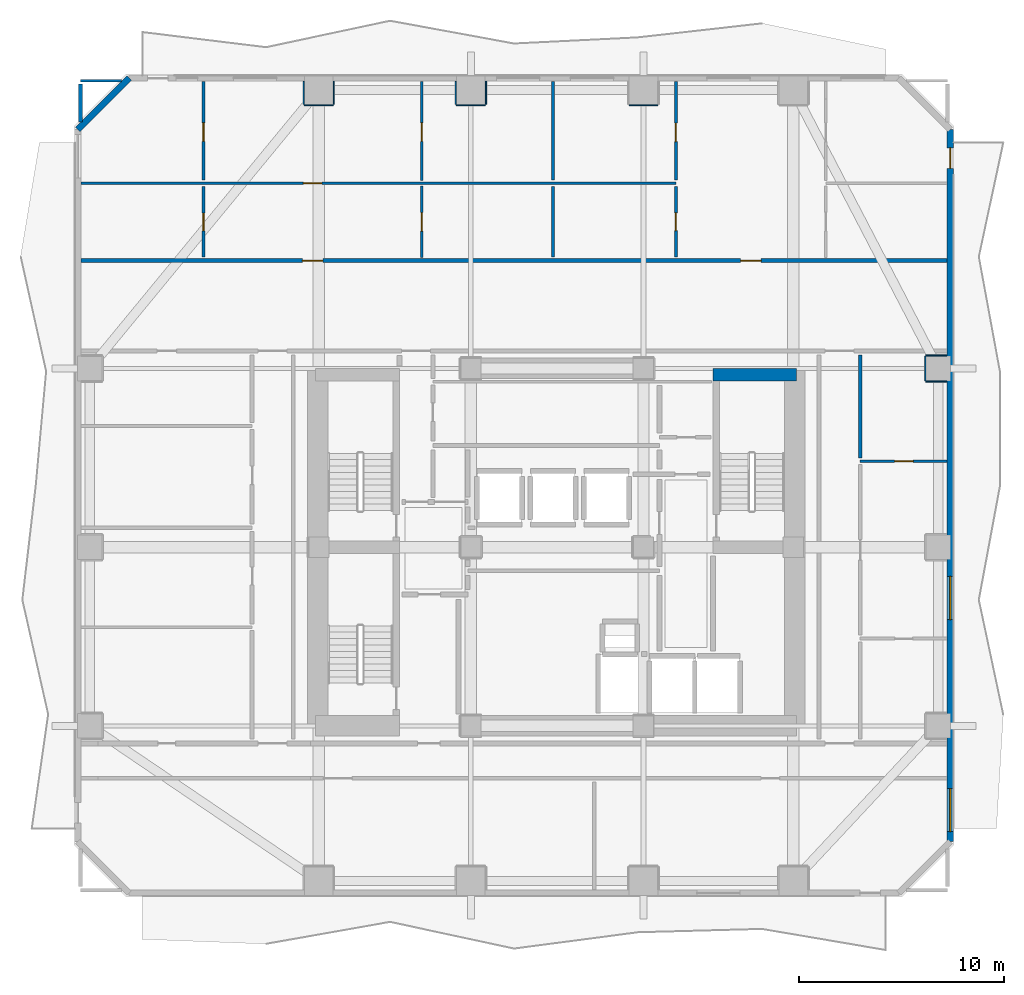
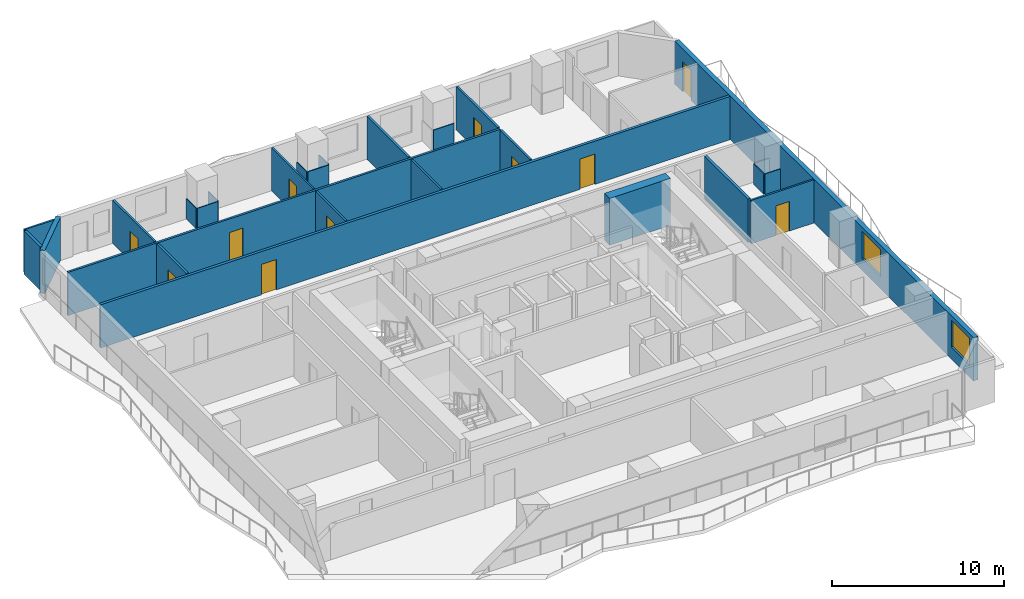
# One storey, part 5 of 10: 27 walls, 11 doors, 2 windows, 13 openings.
"""IFC4 building model written with IfcOpenShell, lengths in metres."""

from ifc_helpers import new_model, si_unit, direction, frame, frame_2d, origin, place, context, subcontext, project, spatial, rectangle, extrude, material, layer, layer_set, type_object, element, fill, save


model = new_model("IFC4")

# Units and contexts
model_context = context("Model", 3, precision=1e-05, world=origin(), true_north=direction((0.0, 1.0)))
body_context = subcontext(model_context, "Body", "Model", "MODEL_VIEW")
ifc_project = project(units=[si_unit("LENGTHUNIT", "METRE"), si_unit("AREAUNIT", "SQUARE_METRE"), si_unit("VOLUMEUNIT", "CUBIC_METRE"), si_unit("PLANEANGLEUNIT", "RADIAN"), si_unit("MASSUNIT", "GRAM", prefix="KILO")], contexts=[model_context])

# Site, building, storey
site_placement = place(None, origin())
site = spatial("IfcSite", under=ifc_project, at=site_placement, CompositionType="ELEMENT")
building_placement = place(site_placement, origin())
building = spatial("IfcBuilding", under=site, at=building_placement, Name="Solanera Arch Residences", CompositionType="ELEMENT")
storey_placement = place(building_placement, frame((0.0, 0.0, 92.800048828125)))
storey = spatial("IfcBuildingStorey", under=building, at=storey_placement, Name="L26", CompositionType="ELEMENT", Elevation=92.800048828125)

# Walls
ifc_material_1 = material(Name="Fire-Rated Gypsum Stud Partition", Category="gypsum")
ifc_layer_1 = layer(ifc_material_1, 0.06005859375)
ifc_layer_set_1 = layer_set([ifc_layer_1], Name="Fire-Rated Gypsum Stud Partition")
wall_type_1 = type_object("IfcWallType", Name="Column Acoustic Furring Wall 60", PredefinedType="PARTITIONING", material=ifc_layer_set_1)
wall_1_placement = place(storey_placement, frame((12.699951171875, 52.218017578125, 0.0), z_axis=(0.0, 0.0, 1.0), x_axis=(1.0, 0.0, 0.0)))
element("IfcWall", 1, at=wall_1_placement, inside=storey, type_object=wall_type_1, Name="L26 Column Furring 10S", PredefinedType="PARTITIONING", context=body_context, shape_type="SweptSolid", body=[
    extrude(rectangle(XDim=1.400146484375, YDim=0.06005859375, at=frame_2d((0.7001953125, 0.0))), origin(), (0.0, 0.0, 1.0), 1.449951171875),
])
for number, where, z_axis, x_axis, name in (
    (2, (12.66796875, 52.25, 0.0), (0.0, 0.0, 1.0), (0.0, 1.0, 0.0), "L26 Column Furring 10W"),
    (3, (14.132080078125, 52.25, 0.0), (0.0, 0.0, 1.0), (0.0, 1.0, 0.0), "L26 Column Furring 10E"),
):
    element("IfcWall", number, at=place(storey_placement, frame(where, z_axis=z_axis, x_axis=x_axis)), inside=storey, type_object=wall_type_1, Name=name, PredefinedType="PARTITIONING", context=body_context, shape_type="SweptSolid", body=[
        extrude(rectangle(XDim=1.1201171875, YDim=0.06005859375, at=frame_2d((0.56005859375, 0.0))), origin(), (0.0, 0.0, 1.0), 1.449951171875),
    ])
wall_2_placement = place(storey_placement, frame((20.10009765625, 52.218017578125, 0.0), z_axis=(0.0, 0.0, 1.0), x_axis=(1.0, 0.0, 0.0)))
element("IfcWall", 4, at=wall_2_placement, inside=storey, type_object=wall_type_1, Name="L26 Column Furring 12S", PredefinedType="PARTITIONING", context=body_context, shape_type="SweptSolid", body=[
    extrude(rectangle(XDim=1.39990234375, YDim=0.06005859375, at=frame_2d((0.699951171875, 0.0))), origin(), (0.0, 0.0, 1.0), 1.449951171875),
])
for number, where, z_axis, x_axis, name in (
    (5, (20.068115234375, 52.25, 0.0), (0.0, 0.0, 1.0), (0.0, 1.0, 0.0), "L26 Column Furring 12W"),
    (6, (21.531982421875, 52.25, 0.0), (0.0, 0.0, 1.0), (0.0, 1.0, 0.0), "L26 Column Furring 12E"),
):
    element("IfcWall", number, at=place(storey_placement, frame(where, z_axis=z_axis, x_axis=x_axis)), inside=storey, type_object=wall_type_1, Name=name, PredefinedType="PARTITIONING", context=body_context, shape_type="SweptSolid", body=[
        extrude(rectangle(XDim=1.1201171875, YDim=0.06005859375, at=frame_2d((0.56005859375, 0.0))), origin(), (0.0, 0.0, 1.0), 1.449951171875),
    ])
wall_3_placement = place(storey_placement, frame((28.5, 52.218017578125, 0.0), z_axis=(0.0, 0.0, 1.0), x_axis=(1.0, 0.0, 0.0)))
element("IfcWall", 7, at=wall_3_placement, inside=storey, type_object=wall_type_1, Name="L26 Column Furring 14S", PredefinedType="PARTITIONING", context=body_context, shape_type="SweptSolid", body=[
    extrude(rectangle(XDim=1.39990234375, YDim=0.06005859375, at=frame_2d((0.699951171875, 0.0))), origin(), (0.0, 0.0, 1.0), 1.449951171875),
])
for number, where, z_axis, x_axis, name in (
    (8, (42.949951171875, 38.76806640625, 0.0), (0.0, 0.0, 1.0), (1.0, 0.0, 0.0), "L26 Column Furring 22S"),
    (9, (42.949951171875, 40.031982421875, 0.0), (0.0, 0.0, 1.0), (1.0, 0.0, 0.0), "L26 Column Furring 22N"),
):
    element("IfcWall", number, at=place(storey_placement, frame(where, z_axis=z_axis, x_axis=x_axis)), inside=storey, type_object=wall_type_1, Name=name, PredefinedType="PARTITIONING", context=body_context, shape_type="SweptSolid", body=[
        extrude(rectangle(XDim=1.02001953125, YDim=0.06005859375, at=frame_2d((0.510009765625, 0.0))), origin(), (0.0, 0.0, 1.0), 1.449951171875),
    ])
wall_4_placement = place(storey_placement, frame((42.91796875, 38.800048828125, 0.0), z_axis=(0.0, 0.0, 1.0), x_axis=(0.0, 1.0, 0.0)))
element("IfcWall", 10, at=wall_4_placement, inside=storey, type_object=wall_type_1, Name="L26 Column Furring 22W", PredefinedType="PARTITIONING", context=body_context, shape_type="SweptSolid", body=[
    extrude(rectangle(XDim=1.199951171875, YDim=0.06005859375, at=frame_2d((0.60009765625, 0.0))), origin(), (0.0, 0.0, 1.0), 1.449951171875),
])
ifc_material_2 = material(Name="Concrete C40/50 (f'c = 45 MPa)", Category="concrete")
ifc_layer_2 = layer(ifc_material_2, 0.60009765625)
ifc_layer_set_2 = layer_set([ifc_layer_2], Name="Concrete C40/50 (f'c = 45 MPa)")
wall_type_2 = type_object("IfcWallType", Name="Core Shear Wall CW-600", PredefinedType="SHEAR", material=ifc_layer_set_2)
wall_5_placement = place(storey_placement, frame((32.580078125, 39.10009765625, 0.0), z_axis=(0.0, 0.0, 1.0), x_axis=(1.0, 0.0, 0.0)))
element("IfcWall", 11, at=wall_5_placement, inside=storey, type_object=wall_type_2, Name="L26 North-East Core Shear Wall", PredefinedType="SHEAR", context=body_context, shape_type="SweptSolid", body=[
    extrude(rectangle(XDim=4.079833984375, YDim=0.60009765625, at=frame_2d((2.0400390625, 0.0))), origin(), (0.0, 0.0, 1.0), 3.320068359375),
])

# Wall, openings, doors
ifc_material_3 = material(Name="Autoclaved Aerated Concrete Blockwork", Category="masonry")
ifc_layer_3 = layer(ifc_material_3, 0.179931640625)
ifc_layer_set_3 = layer_set([ifc_layer_3], Name="Autoclaved Aerated Concrete Blockwork")
wall_type_3 = type_object("IfcWallType", Name="Corridor Fire Partition 180", PredefinedType="PARTITIONING", material=ifc_layer_set_3)
wall_6_placement = place(storey_placement, frame((1.826904296875, 44.64990234375, 0.0), z_axis=(0.0, 0.0, 1.0), x_axis=(1.0, 0.0, 0.0)))
wall_6 = element("IfcWall", 12, at=wall_6_placement, inside=storey, type_object=wall_type_3, Name="L26 Interior Partition H14", PredefinedType="PARTITIONING", context=body_context, shape_type="SweptSolid", body=[
    extrude(rectangle(XDim=42.14599609375, YDim=0.179931640625, at=frame_2d((21.072998046875, 0.0))), origin(), (0.0, 0.0, 1.0), 3.06005859375),
])
opening_1_placement = place(wall_6_placement, frame((10.77001953125, 0.0, 0.0)))
opening_1 = element("IfcOpeningElement", 13, at=opening_1_placement, cuts=wall_6, Name="Opening DI-01", PredefinedType="OPENING", context=body_context, shape_type="SweptSolid", body=[
    extrude(rectangle(XDim=1.0, YDim=2.14990234375, at=frame_2d((0.5, 1.074951171875))), frame((0.0, 0.10009765625, 0.0), z_axis=(0.0, -1.0, 0.0), x_axis=(1.0, 0.0, 0.0)), (0.0, 0.0, 1.0), 0.1999),
])
opening_2_placement = place(wall_6_placement, frame((32.10302734375, 0.0, 0.0)))
opening_2 = element("IfcOpeningElement", 14, at=opening_2_placement, cuts=wall_6, Name="Opening DI-01", PredefinedType="OPENING", context=body_context, shape_type="SweptSolid", body=[
    extrude(rectangle(XDim=1.0, YDim=2.14990234375, at=frame_2d((0.5, 1.074951171875))), frame((0.0, 0.10009765625, 0.0), z_axis=(0.0, -1.0, 0.0), x_axis=(1.0, 0.0, 0.0)), (0.0, 0.0, 1.0), 0.1999),
])
ifc_material_4 = material(Name="Fire-Rated Architectural Hardwood", Category="wood")
door_type_1 = type_object("IfcDoorType", Name="Unit Entrance Fire Door DI-01", OperationType="NOTDEFINED", PredefinedType="DOOR", material=ifc_material_4)
door_1_placement = place(opening_1_placement, origin())
door_1 = element("IfcDoor", 15, at=door_1_placement, inside=storey, type_object=door_type_1, Name="DR-L26-IN-026", OperationType="SINGLE_SWING_LEFT", OverallHeight=2.14990234375, OverallWidth=1.0, PredefinedType="DOOR", context=body_context, shape_type="SweptSolid", body=[
    extrude(rectangle(XDim=1.0, YDim=2.14990234375, at=frame_2d((0.5, 1.074951171875))), frame((0.0, 0.02490234375, 0.0), z_axis=(0.0, -1.0, 0.0), x_axis=(1.0, 0.0, 0.0)), (0.0, 0.0, 1.0), 0.050048828125),
])
fill(opening_1, door_1)
door_2_placement = place(opening_2_placement, origin())
door_2 = element("IfcDoor", 16, at=door_2_placement, inside=storey, type_object=door_type_1, Name="DR-L26-IN-032", OperationType="SINGLE_SWING_LEFT", OverallHeight=2.14990234375, OverallWidth=1.0, PredefinedType="DOOR", context=body_context, shape_type="SweptSolid", body=[
    extrude(rectangle(XDim=1.0, YDim=2.14990234375, at=frame_2d((0.5, 1.074951171875))), frame((0.0, 0.02490234375, 0.0), z_axis=(0.0, -1.0, 0.0), x_axis=(1.0, 0.0, 0.0)), (0.0, 0.0, 1.0), 0.050048828125),
])
fill(opening_2, door_2)

# Walls
wall_7_placement = place(storey_placement, frame((1.800048828125, 51.39892578125, 0.0), z_axis=(0.0, 0.0, 1.0), x_axis=(0.0, 1.0, 0.0)))
element("IfcWall", 17, at=wall_7_placement, inside=storey, type_object=wall_type_3, Name="L26 Interior Partition V7 2", PredefinedType="PARTITIONING", context=body_context, shape_type="SweptSolid", body=[
    extrude(rectangle(XDim=1.843017578125, YDim=0.179931640625, at=frame_2d((0.92138671875, 0.0))), origin(), (0.0, 0.0, 1.0), 3.06005859375),
])
wall_8_placement = place(storey_placement, frame((39.75, 35.050048828125, 0.0), z_axis=(0.0, 0.0, 1.0), x_axis=(0.0, 1.0, 0.0)))
element("IfcWall", 18, at=wall_8_placement, inside=storey, type_object=wall_type_3, Name="L26 Interior Partition V13 3", PredefinedType="PARTITIONING", context=body_context, shape_type="SweptSolid", body=[
    extrude(rectangle(XDim=5.011962890625, YDim=0.179931640625, at=frame_2d((2.505859375, 0.0))), origin(), (0.0, 0.0, 1.0), 3.06005859375),
])
ifc_material_5 = material(Name="Precast Concrete C35/45", Category="concrete")
ifc_layer_4 = layer(ifc_material_5, 0.300048828125)
ifc_layer_set_4 = layer_set([ifc_layer_4], Name="Precast Concrete C35/45")
wall_type_4 = type_object("IfcWallType", Name="Exterior Wall Precast Masonry-Frame 300", PredefinedType="STANDARD", material=ifc_layer_set_4)
wall_9_placement = place(storey_placement, frame((1.6650390625, 51.034912109375, 0.0), z_axis=(0.0, 0.0, 1.0), x_axis=(0.707106781187, 0.707106781187, 0.0)))
element("IfcWall", 19, at=wall_9_placement, inside=storey, type_object=wall_type_4, Name="L26 Tower Exterior Precast Masonry-Frame Wall CH1", PredefinedType="STANDARD", context=body_context, shape_type="SweptSolid", body=[
    extrude(rectangle(XDim=3.53564453125, YDim=0.300048828125, at=frame_2d((1.767822265625, 0.0))), origin(), (0.0, 0.0, 1.0), 3.06005859375),
])

# Wall, openings, door, windows
wall_10_placement = place(storey_placement, frame((44.135009765625, 51.034912109375, 0.0), z_axis=(0.0, 0.0, 1.0), x_axis=(0.0, -1.0, 0.0)))
wall_10 = element("IfcWall", 20, at=wall_10_placement, inside=storey, type_object=wall_type_4, Name="L26 Tower Exterior Precast Masonry-Frame Wall E", PredefinedType="STANDARD", context=body_context, shape_type="SweptSolid", body=[
    extrude(rectangle(XDim=34.669921875, YDim=0.300048828125, at=frame_2d((17.3349609375, 0.0))), origin(), (0.0, 0.0, 1.0), 3.06005859375),
])
opening_3_placement = place(wall_10_placement, frame((0.90087890625, 0.0, 0.0)))
opening_3 = element("IfcOpeningElement", 21, at=opening_3_placement, cuts=wall_10, Name="Opening DB-01", PredefinedType="OPENING", context=body_context, shape_type="SweptSolid", body=[
    extrude(rectangle(XDim=1.0, YDim=2.14990234375, at=frame_2d((0.5, 1.074951171875))), frame((0.0, 0.159912109375, 0.0), z_axis=(0.0, -1.0, 0.0), x_axis=(1.0, 0.0, 0.0)), (0.0, 0.0, 1.0), 0.32),
])
opening_4_placement = place(wall_10_placement, frame((32.0830078125, 0.0, 0.85009765625)))
opening_4 = element("IfcOpeningElement", 22, at=opening_4_placement, cuts=wall_10, Name="Opening W-04", PredefinedType="OPENING", context=body_context, shape_type="SweptSolid", body=[
    extrude(rectangle(XDim=2.10009765625, YDim=1.89990234375, at=frame_2d((1.050048828125, 0.949951171875))), frame((0.0, 0.159912109375, 0.0), z_axis=(0.0, -1.0, 0.0), x_axis=(1.0, 0.0, 0.0)), (0.0, 0.0, 1.0), 0.32),
])
opening_5_placement = place(wall_10_placement, frame((21.760009765625, 0.0, 0.85009765625)))
opening_5 = element("IfcOpeningElement", 23, at=opening_5_placement, cuts=wall_10, Name="Opening W-04", PredefinedType="OPENING", context=body_context, shape_type="SweptSolid", body=[
    extrude(rectangle(XDim=2.10009765625, YDim=1.89990234375, at=frame_2d((1.050048828125, 0.949951171875))), frame((0.0, 0.159912109375, 0.0), z_axis=(0.0, -1.0, 0.0), x_axis=(1.0, 0.0, 0.0)), (0.0, 0.0, 1.0), 0.32),
])
ifc_material_6 = material(Name="Anodised Aluminium Alloy 6063-T6", Category="aluminium")
door_type_2 = type_object("IfcDoorType", Name="Glazed Balcony Swing Door DB-01", OperationType="NOTDEFINED", PredefinedType="DOOR", material=ifc_material_6)
door_3_placement = place(opening_3_placement, origin())
door_3 = element("IfcDoor", 24, at=door_3_placement, inside=storey, type_object=door_type_2, Name="DR-L26-OUT-03", OperationType="SINGLE_SWING_RIGHT", OverallHeight=2.14990234375, OverallWidth=1.0, PredefinedType="DOOR", context=body_context, shape_type="SweptSolid", body=[
    extrude(rectangle(XDim=1.0, YDim=2.14990234375, at=frame_2d((0.5, 1.074951171875))), frame((0.0, 0.02490234375, 0.0), z_axis=(0.0, -1.0, 0.0), x_axis=(1.0, 0.0, 0.0)), (0.0, 0.0, 1.0), 0.050048828125),
])
fill(opening_3, door_3)
ifc_material_7 = material(Name="Double Glazed Low-E Laminated Glass", Category="glass")
window_type = type_object("IfcWindowType", Name="Punched Window W-04", PartitioningType="DOUBLE_PANEL_VERTICAL", PredefinedType="WINDOW", material=ifc_material_7)
window_1_placement = place(opening_4_placement, origin())
window_1 = element("IfcWindow", 25, at=window_1_placement, inside=storey, type_object=window_type, Name="L26 SKYCOW Punched Window", OverallHeight=1.89990234375, OverallWidth=2.10009765625, PartitioningType="SINGLE_PANEL", PredefinedType="WINDOW", context=body_context, shape_type="SweptSolid", body=[
    extrude(rectangle(XDim=2.10009765625, YDim=1.89990234375, at=frame_2d((1.050048828125, 0.949951171875))), frame((0.0, 0.030029296875, 0.0), z_axis=(0.0, -1.0, 0.0), x_axis=(1.0, 0.0, 0.0)), (0.0, 0.0, 1.0), 0.06005859375),
])
fill(opening_4, window_1)
window_2_placement = place(opening_5_placement, origin())
window_2 = element("IfcWindow", 26, at=window_2_placement, inside=storey, type_object=window_type, Name="L26 2603-LIV Punched Window", OverallHeight=1.89990234375, OverallWidth=2.10009765625, PartitioningType="SINGLE_PANEL", PredefinedType="WINDOW", context=body_context, shape_type="SweptSolid", body=[
    extrude(rectangle(XDim=2.10009765625, YDim=1.89990234375, at=frame_2d((1.050048828125, 0.949951171875))), frame((0.0, 0.030029296875, 0.0), z_axis=(0.0, -1.0, 0.0), x_axis=(1.0, 0.0, 0.0)), (0.0, 0.0, 1.0), 0.06005859375),
])
fill(opening_5, window_2)

# Wall, opening, door
ifc_material_8 = material(Name="Fire-Rated Gypsum Stud Partition", Category="gypsum")
ifc_layer_5 = layer(ifc_material_8, 0.1201171875)
ifc_layer_set_5 = layer_set([ifc_layer_5], Name="Fire-Rated Gypsum Stud Partition")
wall_type_5 = type_object("IfcWallType", Name="Unit Drywall Partition 120", PredefinedType="PARTITIONING", material=ifc_layer_set_5)
wall_11_placement = place(storey_placement, frame((39.75, 34.89208984375, 0.0), z_axis=(0.0, 0.0, 1.0), x_axis=(1.0, 0.0, 0.0)))
wall_11 = element("IfcWall", 27, at=wall_11_placement, inside=storey, type_object=wall_type_5, Name="L26 Interior Partition H20", PredefinedType="PARTITIONING", context=body_context, shape_type="SweptSolid", body=[
    extrude(rectangle(XDim=4.222900390625, YDim=0.1201171875, at=frame_2d((2.111328125, 0.0))), origin(), (0.0, 0.0, 1.0), 3.06005859375),
])
opening_6_placement = place(wall_11_placement, frame((1.675048828125, 0.0, 0.0)))
opening_6 = element("IfcOpeningElement", 28, at=opening_6_placement, cuts=wall_11, Name="Opening DI-02", PredefinedType="OPENING", context=body_context, shape_type="SweptSolid", body=[
    extrude(rectangle(XDim=0.89990234375, YDim=2.10009765625, at=frame_2d((0.449951171875, 1.050048828125))), frame((0.0, 0.070068359375, 0.0), z_axis=(0.0, -1.0, 0.0), x_axis=(1.0, 0.0, 0.0)), (0.0, 0.0, 1.0), 0.1401),
])
ifc_material_9 = material(Name="Fire-Rated Architectural Hardwood", Category="wood")
door_type_3 = type_object("IfcDoorType", Name="Suite Room Swing Door DI-02", OperationType="NOTDEFINED", PredefinedType="DOOR", material=ifc_material_9)
door_4_placement = place(opening_6_placement, origin())
door_4 = element("IfcDoor", 29, at=door_4_placement, inside=storey, type_object=door_type_3, Name="DR-L26-IN-025", OperationType="SINGLE_SWING_RIGHT", OverallHeight=2.10009765625, OverallWidth=0.89990234375, PredefinedType="DOOR", context=body_context, shape_type="SweptSolid", body=[
    extrude(rectangle(XDim=0.89990234375, YDim=2.10009765625, at=frame_2d((0.449951171875, 1.050048828125))), frame((0.0, 0.02490234375, 0.0), z_axis=(0.0, -1.0, 0.0), x_axis=(1.0, 0.0, 0.0)), (0.0, 0.0, 1.0), 0.050048828125),
])
fill(opening_6, door_4)

# Wall
wall_12_placement = place(storey_placement, frame((1.800048828125, 53.39990234375, 0.0), z_axis=(0.0, 0.0, 1.0), x_axis=(1.0, 0.0, 0.0)))
element("IfcWall", 30, at=wall_12_placement, inside=storey, type_object=wall_type_5, Name="L26 Interior Partition H22 1", PredefinedType="PARTITIONING", context=body_context, shape_type="SweptSolid", body=[
    extrude(rectangle(XDim=2.0009765625, YDim=0.1201171875, at=frame_2d((1.00048828125, 0.0))), origin(), (0.0, 0.0, 1.0), 3.06005859375),
])

# Wall, opening, door
wall_13_placement = place(storey_placement, frame((18.407958984375, 44.80810546875, 0.0), z_axis=(0.0, 0.0, 1.0), x_axis=(0.0, 1.0, 0.0)))
wall_13 = element("IfcWall", 31, at=wall_13_placement, inside=storey, type_object=wall_type_5, Name="L26 Interior Partition V18 1", PredefinedType="PARTITIONING", context=body_context, shape_type="SweptSolid", body=[
    extrude(rectangle(XDim=3.466796875, YDim=0.1201171875, at=frame_2d((1.7333984375, 0.0))), origin(), (0.0, 0.0, 1.0), 3.06005859375),
])
opening_7_placement = place(wall_13_placement, frame((1.27392578125, 0.0, 0.0)))
opening_7 = element("IfcOpeningElement", 32, at=opening_7_placement, cuts=wall_13, Name="Opening DI-02", PredefinedType="OPENING", context=body_context, shape_type="SweptSolid", body=[
    extrude(rectangle(XDim=0.89990234375, YDim=2.10009765625, at=frame_2d((0.449951171875, 1.050048828125))), frame((0.0, 0.070068359375, 0.0), z_axis=(0.0, -1.0, 0.0), x_axis=(1.0, 0.0, 0.0)), (0.0, 0.0, 1.0), 0.1401),
])
door_5_placement = place(opening_7_placement, origin())
door_5 = element("IfcDoor", 33, at=door_5_placement, inside=storey, type_object=door_type_3, Name="DR-L26-IN-030", OperationType="SINGLE_SWING_LEFT", OverallHeight=2.10009765625, OverallWidth=0.89990234375, PredefinedType="DOOR", context=body_context, shape_type="SweptSolid", body=[
    extrude(rectangle(XDim=0.89990234375, YDim=2.10009765625, at=frame_2d((0.449951171875, 1.050048828125))), frame((0.0, 0.02490234375, 0.0), z_axis=(0.0, -1.0, 0.0), x_axis=(1.0, 0.0, 0.0)), (0.0, 0.0, 1.0), 0.050048828125),
])
fill(opening_7, door_5)

wall_14_placement = place(storey_placement, frame((18.407958984375, 48.551025390625, 0.0), z_axis=(0.0, 0.0, 1.0), x_axis=(0.0, 1.0, 0.0)))
wall_14 = element("IfcWall", 34, at=wall_14_placement, inside=storey, type_object=wall_type_5, Name="L26 Interior Partition V18 2", PredefinedType="PARTITIONING", context=body_context, shape_type="SweptSolid", body=[
    extrude(rectangle(XDim=4.822021484375, YDim=0.1201171875, at=frame_2d((2.4111328125, 0.0))), origin(), (0.0, 0.0, 1.0), 3.06005859375),
])
opening_8_placement = place(wall_14_placement, frame((1.905029296875, 0.0, 0.0)))
opening_8 = element("IfcOpeningElement", 35, at=opening_8_placement, cuts=wall_14, Name="Opening DI-03", PredefinedType="OPENING", context=body_context, shape_type="SweptSolid", body=[
    extrude(rectangle(XDim=0.89990234375, YDim=2.10009765625, at=frame_2d((0.449951171875, 1.050048828125))), frame((0.0, 0.070068359375, 0.0), z_axis=(0.0, -1.0, 0.0), x_axis=(1.0, 0.0, 0.0)), (0.0, 0.0, 1.0), 0.1401),
])
ifc_material_10 = material(Name="Fire-Rated Architectural Hardwood", Category="wood")
door_type_4 = type_object("IfcDoorType", Name="Bedroom Swing Door DI-03", OperationType="NOTDEFINED", PredefinedType="DOOR", material=ifc_material_10)
door_6_placement = place(opening_8_placement, origin())
door_6 = element("IfcDoor", 36, at=door_6_placement, inside=storey, type_object=door_type_4, Name="DR-L26-IN-031", OperationType="SINGLE_SWING_RIGHT", OverallHeight=2.10009765625, OverallWidth=0.89990234375, PredefinedType="DOOR", context=body_context, shape_type="SweptSolid", body=[
    extrude(rectangle(XDim=0.89990234375, YDim=2.10009765625, at=frame_2d((0.449951171875, 1.050048828125))), frame((0.0, 0.02490234375, 0.0), z_axis=(0.0, -1.0, 0.0), x_axis=(1.0, 0.0, 0.0)), (0.0, 0.0, 1.0), 0.050048828125),
])
fill(opening_8, door_6)

ifc_material_11 = material(Name="Autoclaved Aerated Concrete Blockwork", Category="masonry")
ifc_layer_6 = layer(ifc_material_11, 0.139892578125)
ifc_layer_set_6 = layer_set([ifc_layer_6], Name="Autoclaved Aerated Concrete Blockwork")
wall_type_6 = type_object("IfcWallType", Name="Wet-Room Partition 140", PredefinedType="PARTITIONING", material=ifc_layer_set_6)
wall_15_placement = place(storey_placement, frame((1.826904296875, 48.4130859375, 0.0), z_axis=(0.0, 0.0, 1.0), x_axis=(1.0, 0.0, 0.0)))
wall_15 = element("IfcWall", 37, at=wall_15_placement, inside=storey, type_object=wall_type_6, Name="L26 Interior Partition H18", PredefinedType="PARTITIONING", context=body_context, shape_type="SweptSolid", body=[
    extrude(rectangle(XDim=28.953125, YDim=0.139892578125, at=frame_2d((14.4765625, 0.0))), origin(), (0.0, 0.0, 1.0), 3.06005859375),
])
opening_9_placement = place(wall_15_placement, frame((10.820068359375, 0.0, 0.0)))
opening_9 = element("IfcOpeningElement", 38, at=opening_9_placement, cuts=wall_15, Name="Opening DI-02", PredefinedType="OPENING", context=body_context, shape_type="SweptSolid", body=[
    extrude(rectangle(XDim=0.89990234375, YDim=2.10009765625, at=frame_2d((0.449951171875, 1.050048828125))), frame((0.0, 0.079833984375, 0.0), z_axis=(0.0, -1.0, 0.0), x_axis=(1.0, 0.0, 0.0)), (0.0, 0.0, 1.0), 0.1599),
])
door_7_placement = place(opening_9_placement, origin())
door_7 = element("IfcDoor", 39, at=door_7_placement, inside=storey, type_object=door_type_3, Name="DR-L26-IN-027", OperationType="SINGLE_SWING_RIGHT", OverallHeight=2.10009765625, OverallWidth=0.89990234375, PredefinedType="DOOR", context=body_context, shape_type="SweptSolid", body=[
    extrude(rectangle(XDim=0.89990234375, YDim=2.10009765625, at=frame_2d((0.449951171875, 1.050048828125))), frame((0.0, 0.02490234375, 0.0), z_axis=(0.0, -1.0, 0.0), x_axis=(1.0, 0.0, 0.0)), (0.0, 0.0, 1.0), 0.050048828125),
])
fill(opening_9, door_7)

wall_16_placement = place(storey_placement, frame((7.785888671875, 44.818115234375, 0.0), z_axis=(0.0, 0.0, 1.0), x_axis=(0.0, 1.0, 0.0)))
wall_16 = element("IfcWall", 40, at=wall_16_placement, inside=storey, type_object=wall_type_6, Name="L26 Interior Partition V15 1", PredefinedType="PARTITIONING", context=body_context, shape_type="SweptSolid", body=[
    extrude(rectangle(XDim=3.44677734375, YDim=0.139892578125, at=frame_2d((1.723388671875, 0.0))), origin(), (0.0, 0.0, 1.0), 3.06005859375),
])
opening_10_placement = place(wall_16_placement, frame((1.283935546875, 0.0, 0.0)))
opening_10 = element("IfcOpeningElement", 41, at=opening_10_placement, cuts=wall_16, Name="Opening DI-05", PredefinedType="OPENING", context=body_context, shape_type="SweptSolid", body=[
    extrude(rectangle(XDim=0.860107421875, YDim=2.02001953125, at=frame_2d((0.43017578125, 1.010009765625))), frame((0.0, 0.079833984375, 0.0), z_axis=(0.0, -1.0, 0.0), x_axis=(1.0, 0.0, 0.0)), (0.0, 0.0, 1.0), 0.1599),
])
ifc_material_12 = material(Name="Fire-Rated Architectural Hardwood", Category="wood")
door_type_5 = type_object("IfcDoorType", Name="Bathroom Swing Door DI-05", OperationType="NOTDEFINED", PredefinedType="DOOR", material=ifc_material_12)
door_8_placement = place(opening_10_placement, origin())
door_8 = element("IfcDoor", 42, at=door_8_placement, inside=storey, type_object=door_type_5, Name="DR-L26-IN-028", OperationType="SINGLE_SWING_LEFT", OverallHeight=2.02001953125, OverallWidth=0.860107421875, PredefinedType="DOOR", context=body_context, shape_type="SweptSolid", body=[
    extrude(rectangle(XDim=0.860107421875, YDim=2.02001953125, at=frame_2d((0.43017578125, 1.010009765625))), frame((0.0, 0.02490234375, 0.0), z_axis=(0.0, -1.0, 0.0), x_axis=(1.0, 0.0, 0.0)), (0.0, 0.0, 1.0), 0.050048828125),
])
fill(opening_10, door_8)

wall_17_placement = place(storey_placement, frame((7.785888671875, 48.56103515625, 0.0), z_axis=(0.0, 0.0, 1.0), x_axis=(0.0, 1.0, 0.0)))
wall_17 = element("IfcWall", 43, at=wall_17_placement, inside=storey, type_object=wall_type_6, Name="L26 Interior Partition V15 2", PredefinedType="PARTITIONING", context=body_context, shape_type="SweptSolid", body=[
    extrude(rectangle(XDim=4.81201171875, YDim=0.139892578125, at=frame_2d((2.406005859375, 0.0))), origin(), (0.0, 0.0, 1.0), 3.06005859375),
])
opening_11_placement = place(wall_17_placement, frame((1.89599609375, 0.0, 0.0)))
opening_11 = element("IfcOpeningElement", 44, at=opening_11_placement, cuts=wall_17, Name="Opening DI-03", PredefinedType="OPENING", context=body_context, shape_type="SweptSolid", body=[
    extrude(rectangle(XDim=0.89990234375, YDim=2.10009765625, at=frame_2d((0.449951171875, 1.050048828125))), frame((0.0, 0.079833984375, 0.0), z_axis=(0.0, -1.0, 0.0), x_axis=(1.0, 0.0, 0.0)), (0.0, 0.0, 1.0), 0.1599),
])
door_9_placement = place(opening_11_placement, origin())
door_9 = element("IfcDoor", 45, at=door_9_placement, inside=storey, type_object=door_type_4, Name="DR-L26-IN-029", OperationType="SINGLE_SWING_RIGHT", OverallHeight=2.10009765625, OverallWidth=0.89990234375, PredefinedType="DOOR", context=body_context, shape_type="SweptSolid", body=[
    extrude(rectangle(XDim=0.89990234375, YDim=2.10009765625, at=frame_2d((0.449951171875, 1.050048828125))), frame((0.0, 0.02490234375, 0.0), z_axis=(0.0, -1.0, 0.0), x_axis=(1.0, 0.0, 0.0)), (0.0, 0.0, 1.0), 0.050048828125),
])
fill(opening_11, door_9)

# Walls
wall_18_placement = place(storey_placement, frame((24.800048828125, 44.818115234375, 0.0), z_axis=(0.0, 0.0, 1.0), x_axis=(0.0, 1.0, 0.0)))
element("IfcWall", 46, at=wall_18_placement, inside=storey, type_object=wall_type_6, Name="L26 Interior Partition V16 1", PredefinedType="PARTITIONING", context=body_context, shape_type="SweptSolid", body=[
    extrude(rectangle(XDim=3.44677734375, YDim=0.139892578125, at=frame_2d((1.723388671875, 0.0))), origin(), (0.0, 0.0, 1.0), 3.06005859375),
])
wall_19_placement = place(storey_placement, frame((24.800048828125, 48.56103515625, 0.0), z_axis=(0.0, 0.0, 1.0), x_axis=(0.0, 1.0, 0.0)))
element("IfcWall", 47, at=wall_19_placement, inside=storey, type_object=wall_type_6, Name="L26 Interior Partition V16 2", PredefinedType="PARTITIONING", context=body_context, shape_type="SweptSolid", body=[
    extrude(rectangle(XDim=4.81201171875, YDim=0.139892578125, at=frame_2d((2.406005859375, 0.0))), origin(), (0.0, 0.0, 1.0), 3.06005859375),
])

# Wall, opening, door
wall_20_placement = place(storey_placement, frame((30.780029296875, 44.818115234375, 0.0), z_axis=(0.0, 0.0, 1.0), x_axis=(0.0, 1.0, 0.0)))
wall_20 = element("IfcWall", 48, at=wall_20_placement, inside=storey, type_object=wall_type_6, Name="L26 Interior Partition V17 1", PredefinedType="PARTITIONING", context=body_context, shape_type="SweptSolid", body=[
    extrude(rectangle(XDim=3.44677734375, YDim=0.139892578125, at=frame_2d((1.723388671875, 0.0))), origin(), (0.0, 0.0, 1.0), 3.06005859375),
])
opening_12_placement = place(wall_20_placement, frame((1.2958984375, 0.0, 0.0)))
opening_12 = element("IfcOpeningElement", 49, at=opening_12_placement, cuts=wall_20, Name="Opening DI-05", PredefinedType="OPENING", context=body_context, shape_type="SweptSolid", body=[
    extrude(rectangle(XDim=0.860107421875, YDim=2.02001953125, at=frame_2d((0.43017578125, 1.010009765625))), frame((0.0, 0.079833984375, 0.0), z_axis=(0.0, -1.0, 0.0), x_axis=(1.0, 0.0, 0.0)), (0.0, 0.0, 1.0), 0.1599),
])
door_10_placement = place(opening_12_placement, origin())
door_10 = element("IfcDoor", 50, at=door_10_placement, inside=storey, type_object=door_type_5, Name="DR-L26-IN-033", OperationType="SINGLE_SWING_RIGHT", OverallHeight=2.02001953125, OverallWidth=0.860107421875, PredefinedType="DOOR", context=body_context, shape_type="SweptSolid", body=[
    extrude(rectangle(XDim=0.860107421875, YDim=2.02001953125, at=frame_2d((0.43017578125, 1.010009765625))), frame((0.0, 0.02490234375, 0.0), z_axis=(0.0, -1.0, 0.0), x_axis=(1.0, 0.0, 0.0)), (0.0, 0.0, 1.0), 0.050048828125),
])
fill(opening_12, door_10)

wall_21_placement = place(storey_placement, frame((30.780029296875, 48.56103515625, 0.0), z_axis=(0.0, 0.0, 1.0), x_axis=(0.0, 1.0, 0.0)))
wall_21 = element("IfcWall", 51, at=wall_21_placement, inside=storey, type_object=wall_type_6, Name="L26 Interior Partition V17 2", PredefinedType="PARTITIONING", context=body_context, shape_type="SweptSolid", body=[
    extrude(rectangle(XDim=4.81201171875, YDim=0.139892578125, at=frame_2d((2.406005859375, 0.0))), origin(), (0.0, 0.0, 1.0), 3.06005859375),
])
opening_13_placement = place(wall_21_placement, frame((1.883056640625, 0.0, 0.0)))
opening_13 = element("IfcOpeningElement", 52, at=opening_13_placement, cuts=wall_21, Name="Opening DI-03", PredefinedType="OPENING", context=body_context, shape_type="SweptSolid", body=[
    extrude(rectangle(XDim=0.89990234375, YDim=2.10009765625, at=frame_2d((0.449951171875, 1.050048828125))), frame((0.0, 0.079833984375, 0.0), z_axis=(0.0, -1.0, 0.0), x_axis=(1.0, 0.0, 0.0)), (0.0, 0.0, 1.0), 0.1599),
])
door_11_placement = place(opening_13_placement, origin())
door_11 = element("IfcDoor", 53, at=door_11_placement, inside=storey, type_object=door_type_4, Name="DR-L26-IN-034", OperationType="SINGLE_SWING_LEFT", OverallHeight=2.10009765625, OverallWidth=0.89990234375, PredefinedType="DOOR", context=body_context, shape_type="SweptSolid", body=[
    extrude(rectangle(XDim=0.89990234375, YDim=2.10009765625, at=frame_2d((0.449951171875, 1.050048828125))), frame((0.0, 0.02490234375, 0.0), z_axis=(0.0, -1.0, 0.0), x_axis=(1.0, 0.0, 0.0)), (0.0, 0.0, 1.0), 0.050048828125),
])
fill(opening_13, door_11)

save(model, "model.ifc")
